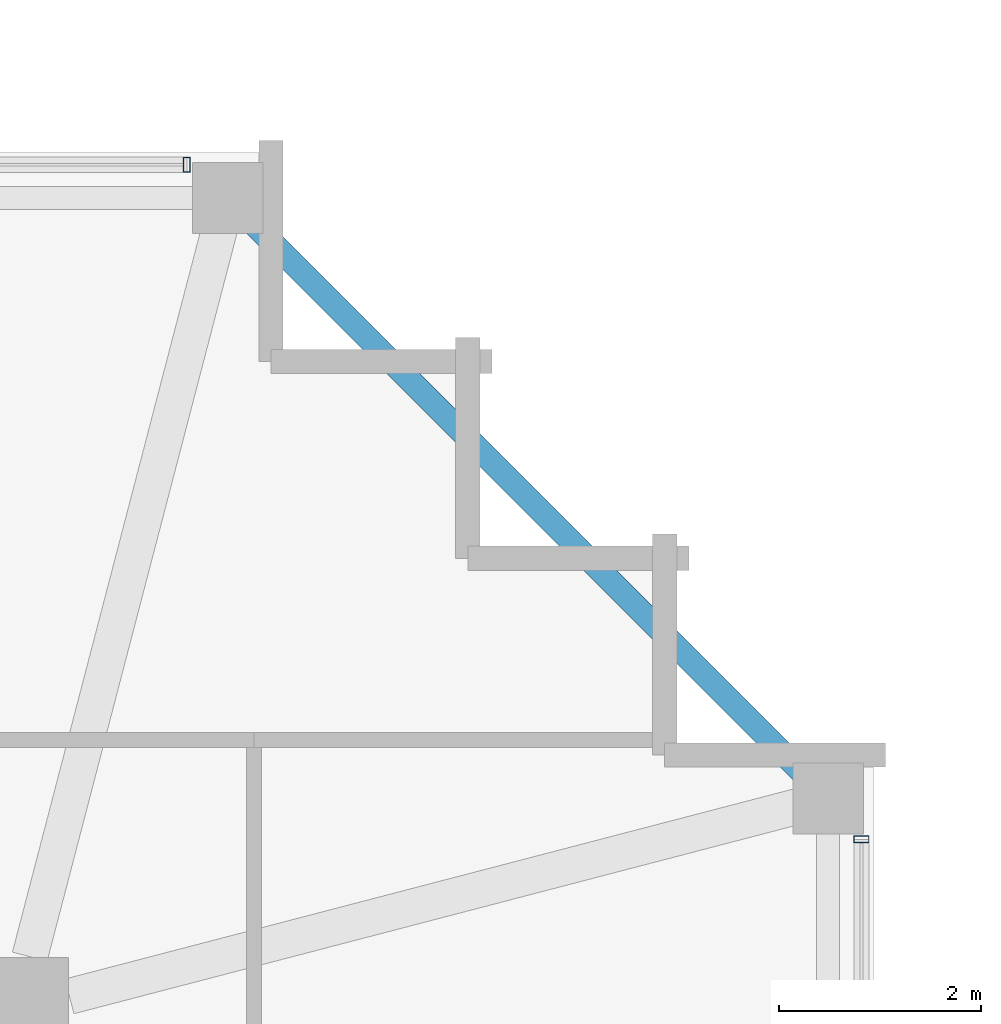
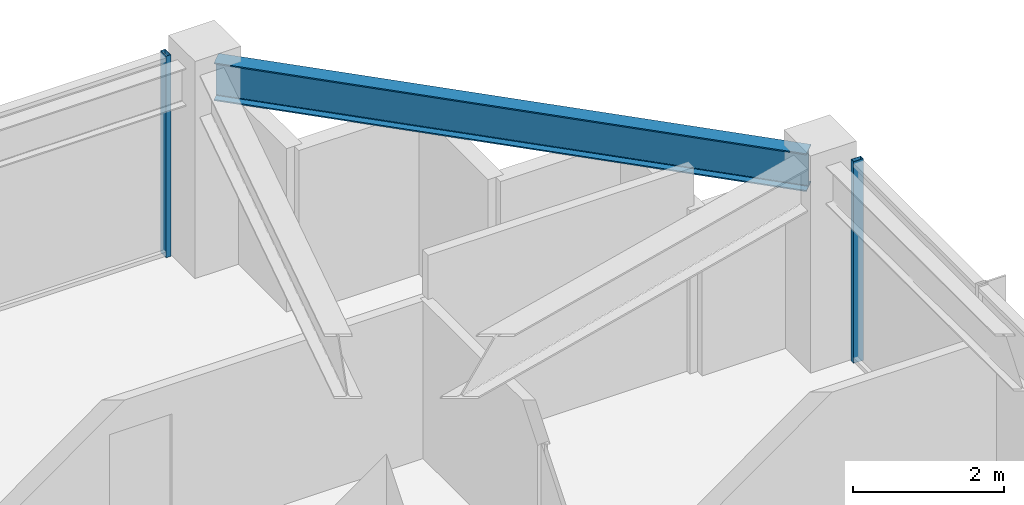
# One storey, part 20 of 34: 2 members, 1 beam, 2 elements without a shape of their own.
"""IFC4 building model written with IfcOpenShell, lengths in metres."""

from ifc_helpers import new_model, si_unit, direction, frame, origin, origin_2d, place, context, subcontext, project, spatial, hollow_rectangle, i_section, extrude, material, material_profile, profile_set, type_object, element, aggregate, save


model = new_model("IFC4")

# Units and contexts
model_context = context("Model", 3, precision=1e-05, world=origin(), true_north=direction((0.0, 1.0)))
body_context = subcontext(model_context, "Body", "Model", "MODEL_VIEW")
ifc_project = project(units=[si_unit("LENGTHUNIT", "METRE"), si_unit("AREAUNIT", "SQUARE_METRE"), si_unit("VOLUMEUNIT", "CUBIC_METRE"), si_unit("PLANEANGLEUNIT", "RADIAN"), si_unit("MASSUNIT", "GRAM", prefix="KILO")], contexts=[model_context])

# Site, building, storey
site_placement = place(None, origin())
site = spatial("IfcSite", under=ifc_project, at=site_placement, CompositionType="ELEMENT")
building_placement = place(site_placement, origin())
building = spatial("IfcBuilding", under=site, at=building_placement, Name="Kolvaren Belvedere", CompositionType="ELEMENT")
storey_placement = place(building_placement, frame((0.0, 0.0, 240.89990234375)))
storey = spatial("IfcBuildingStorey", under=building, at=storey_placement, Name="L70", CompositionType="ELEMENT", Elevation=240.89990234375)

# Beam
ifc_material_1 = material(Name="Structural steel ASTM A992 Grade 50", Category="steel")
ifc_material_profile_1 = material_profile(ifc_material_1, i_section(OverallWidth=0.22900390625, OverallDepth=0.612060546875, WebThickness=0.011962890625, FlangeThickness=0.01953125, FilletRadius=0.01806640625, at=origin_2d()), Name="W24X84")
ifc_profile_set_1 = profile_set([ifc_material_profile_1], Name="Structural steel ASTM A992 Grade 50")
beam_type = type_object("IfcBeamType", Name="BM-SPAN-W24X84", PredefinedType="SPANDREL", material=ifc_profile_set_1)
beam_placement = place(storey_placement, frame((17.838623046875, 12.111328125, 2.944091796875), z_axis=(-0.707106781187, 0.707106781187, 0.0), x_axis=(-0.707106781187, -0.707106781187, 0.0)))
element("IfcBeam", 1, at=beam_placement, inside=storey, type_object=beam_type, Name="L70 Perimeter Spandrel E4-N4", PredefinedType="SPANDREL", context=body_context, shape_type="SweptSolid", body=[
    extrude(i_section(OverallWidth=0.22900390625, OverallDepth=0.612060546875, WebThickness=0.011962890625, FlangeThickness=0.01953125, FilletRadius=0.01806640625, at=origin_2d()), origin(), (0.0, 0.0, 1.0), 8.099609375),
])

# Curtain wall, member
ifc_material_2 = material(Name="Anodised pale-metal aluminium AA 6063-T6", Category="aluminium")
curtain_wall_type = type_object("IfcCurtainWallType", Name="CW-Z5-HIGH", PredefinedType="NOTDEFINED", material=ifc_material_2)
curtain_wall_1_placement = place(storey_placement, origin())
curtain_wall_1 = element("IfcCurtainWall", 2, at=curtain_wall_1_placement, inside=storey, type_object=curtain_wall_type, Name="L70 Unitised Curtain Wall FCW-L70-E-B1", PredefinedType="NOTDEFINED")
ifc_material_3 = material(Name="Anodised pale-metal aluminium AA 6063-T6", Category="aluminium")
ifc_material_profile_2 = material_profile(ifc_material_3, hollow_rectangle(XDim=0.070068359375, YDim=0.14990234375, WallThickness=0.004150390625, at=origin_2d()), Name="ALU-MUL-150X70")
ifc_profile_set_2 = profile_set([ifc_material_profile_2], Name="Anodised pale-metal aluminium AA 6063-T6")
member_type = type_object("IfcMemberType", Name="CW-MUL-150", PredefinedType="MULLION", material=ifc_profile_set_2)
member_1_placement = place(storey_placement, frame((18.280029296875, 11.594970703125, 0.0), z_axis=(0.0, 0.0, 1.0), x_axis=(0.0, 1.0, 0.0)))
member_1 = element("IfcMember", 3, at=member_1_placement, type_object=member_type, Name="FCW-L70-E-B1 Unitised Mullion 1", PredefinedType="MULLION", context=body_context, shape_type="SweptSolid", body=[
    extrude(hollow_rectangle(XDim=0.070068359375, YDim=0.14990234375, WallThickness=0.004150390625, at=origin_2d()), origin(), (0.0, 0.0, 1.0), 3.25),
])
aggregate(curtain_wall_1, [member_1])

curtain_wall_2_placement = place(storey_placement, origin())
curtain_wall_2 = element("IfcCurtainWall", 4, at=curtain_wall_2_placement, inside=storey, type_object=curtain_wall_type, Name="L70 Unitised Curtain Wall FCW-L70-N2-B2", PredefinedType="NOTDEFINED")
member_2_placement = place(storey_placement, frame((11.594970703125, 18.280029296875, 0.0), z_axis=(0.0, 0.0, 1.0), x_axis=(1.0, 0.0, 0.0)))
member_2 = element("IfcMember", 5, at=member_2_placement, type_object=member_type, Name="FCW-L70-N2-B2 Unitised Mullion 3", PredefinedType="MULLION", context=body_context, shape_type="SweptSolid", body=[
    extrude(hollow_rectangle(XDim=0.070068359375, YDim=0.14990234375, WallThickness=0.004150390625, at=origin_2d()), origin(), (0.0, 0.0, 1.0), 3.25),
])
aggregate(curtain_wall_2, [member_2])

save(model, "model.ifc")
